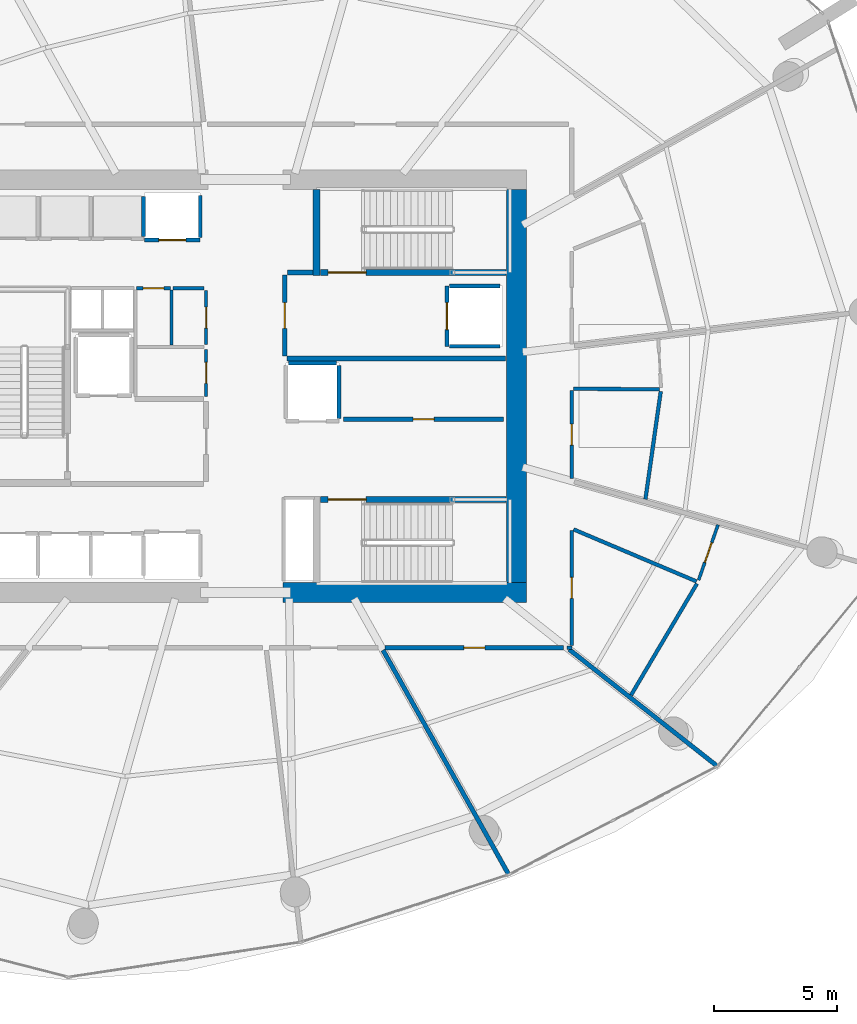
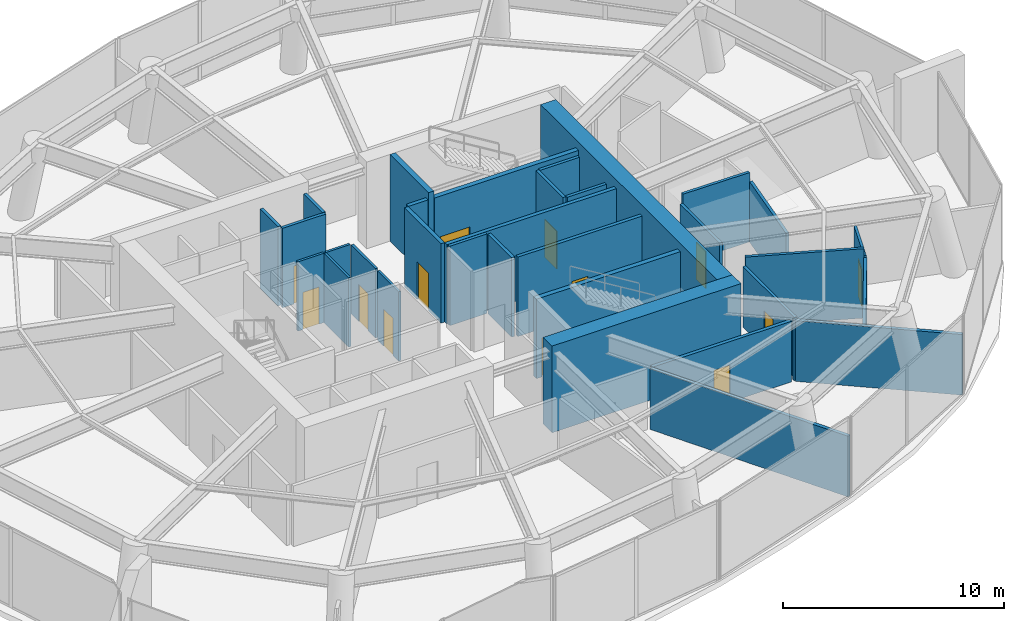
# One storey, part 12 of 16: 33 walls, 13 doors, 13 openings.
"""IFC4 building model written with IfcOpenShell, lengths in metres."""

from ifc_helpers import new_model, si_unit, direction, frame, frame_2d, origin, place, context, subcontext, project, spatial, rectangle, extrude, material, layer, layer_set, type_object, element, fill, save


model = new_model("IFC4")

# Units and contexts
model_context = context("Model", 3, precision=1e-05, world=origin(), true_north=direction((0.0, 1.0)))
body_context = subcontext(model_context, "Body", "Model", "MODEL_VIEW")
ifc_project = project(units=[si_unit("LENGTHUNIT", "METRE"), si_unit("AREAUNIT", "SQUARE_METRE"), si_unit("VOLUMEUNIT", "CUBIC_METRE"), si_unit("PLANEANGLEUNIT", "RADIAN"), si_unit("MASSUNIT", "GRAM", prefix="KILO")], contexts=[model_context])

# Site, building, storey
site_placement = place(None, origin())
site = spatial("IfcSite", under=ifc_project, at=site_placement, CompositionType="ELEMENT")
building_placement = place(site_placement, origin())
building = spatial("IfcBuilding", under=site, at=building_placement, Name="Kazma Halo Residences", CompositionType="ELEMENT")
storey_placement = place(building_placement, frame((0.0, 0.0, 123.0)))
storey = spatial("IfcBuildingStorey", under=building, at=storey_placement, Name="L30", CompositionType="ELEMENT", Elevation=123.0)

# Walls
ifc_material_1 = material(Name="Concrete C80/95", Category="concrete")
ifc_layer_1 = layer(ifc_material_1, 0.800048828125)
ifc_layer_set_1 = layer_set([ifc_layer_1], Name="Concrete C80/95")
wall_type_1 = type_object("IfcWallType", Name="WL-CORE-800", PredefinedType="SHEAR", material=ifc_layer_set_1)
wall_1_placement = place(storey_placement, frame((49.949951171875, 33.60009765625, 0.0), z_axis=(0.0, 0.0, 1.0), x_axis=(1.0, 0.0, 0.0)))
element("IfcWall", 1, at=wall_1_placement, inside=storey, type_object=wall_type_1, Name="L30 central core shear wall SE", PredefinedType="SHEAR", context=body_context, shape_type="SweptSolid", body=[
    extrude(rectangle(XDim=9.900146484375, YDim=0.800048828125, at=frame_2d((4.9501953125, 0.0))), origin(), (0.0, 0.0, 1.0), 4.800048828125),
])
wall_2_placement = place(storey_placement, frame((59.449951171875, 34.0, 0.0), z_axis=(0.0, 0.0, 1.0), x_axis=(0.0, 1.0, 0.0)))
element("IfcWall", 2, at=wall_2_placement, inside=storey, type_object=wall_type_1, Name="L30 central core shear wall E", PredefinedType="SHEAR", context=body_context, shape_type="SweptSolid", body=[
    extrude(rectangle(XDim=16.0, YDim=0.800048828125, at=frame_2d((8.0, 0.0))), origin(), (0.0, 0.0, 1.0), 4.800048828125),
])
ifc_material_2 = material(Name="Concrete C60/75", Category="concrete")
ifc_layer_2 = layer(ifc_material_2, 0.280029296875)
ifc_layer_set_2 = layer_set([ifc_layer_2], Name="Concrete C60/75")
wall_type_2 = type_object("IfcWallType", Name="WL-CORE-ST-280", PredefinedType="SHEAR", material=ifc_layer_set_2)
wall_3_placement = place(storey_placement, frame((51.31005859375, 46.5, 0.0), z_axis=(0.0, 0.0, 1.0), x_axis=(0.0, 1.0, 0.0)))
element("IfcWall", 3, at=wall_3_placement, inside=storey, type_object=wall_type_2, Name="L30 stairwell bearing wall ST02-W", PredefinedType="SHEAR", context=body_context, shape_type="SweptSolid", body=[
    extrude(rectangle(XDim=3.5, YDim=0.280029296875, at=frame_2d((1.75, 0.0))), origin(), (0.0, 0.0, 1.0), 4.800048828125),
])
ifc_material_3 = material(Name="Acoustic Twin-Stud Gypsum")
ifc_layer_3 = layer(ifc_material_3, 0.179931640625)
ifc_layer_set_3 = layer_set([ifc_layer_3], Name="Acoustic Twin-Stud Gypsum")
wall_type_3 = type_object("IfcWallType", Name="WL-DEM-180", PredefinedType="PARTITIONING", material=ifc_layer_set_3)
wall_4_placement = place(storey_placement, frame((54.01806640625, 31.25390625, 0.0), z_axis=(0.0, 0.0, 1.0), x_axis=(0.488626139104, -0.872493264263, 0.0)))
element("IfcWall", 4, at=wall_4_placement, inside=storey, type_object=wall_type_3, Name="L30 radial partition wall 12", PredefinedType="PARTITIONING", context=body_context, shape_type="SweptSolid", body=[
    extrude(rectangle(XDim=10.447509765625, YDim=0.179931640625, at=frame_2d((5.2236328125, 0.0))), origin(), (0.0, 0.0, 1.0), 3.35693359375),
])

# Wall, opening, door
wall_5_placement = place(storey_placement, frame((54.104248046875, 31.35009765625, 0.0), z_axis=(0.0, 0.0, 1.0), x_axis=(1.0, 0.0, 0.0)))
wall_5 = element("IfcWall", 5, at=wall_5_placement, inside=storey, type_object=wall_type_3, Name="L30 Sky Lobby Tableware Store corridor wall", PredefinedType="PARTITIONING", context=body_context, shape_type="SweptSolid", body=[
    extrude(rectangle(XDim=7.26513671875, YDim=0.179931640625, at=frame_2d((3.632568359375, 0.0))), origin(), (0.0, 0.0, 1.0), 3.35693359375),
])
opening_1_placement = place(wall_5_placement, frame((3.20751953125, 0.0, 0.0)))
opening_1 = element("IfcOpeningElement", 6, at=opening_1_placement, cuts=wall_5, Name="Opening DS-850", PredefinedType="OPENING", context=body_context, shape_type="SweptSolid", body=[
    extrude(rectangle(XDim=0.85009765625, YDim=2.06005859375, at=frame_2d((0.425048828125, 1.030029296875))), frame((0.0, 0.099853515625, 0.0), z_axis=(0.0, -1.0, 0.0), x_axis=(1.0, 0.0, 0.0)), (0.0, 0.0, 1.0), 0.199951171875),
])
ifc_material_4 = material(Name="Painted Steel Access Leaf", Category="steel")
door_type_1 = type_object("IfcDoorType", Name="DR-SVC-850", OperationType="NOTDEFINED", PredefinedType="DOOR", material=ifc_material_4)
door_1_placement = place(opening_1_placement, origin())
door_1 = element("IfcDoor", 7, at=door_1_placement, inside=storey, type_object=door_type_1, Name="L30 Sky Lobby Tableware Store entrance door", OperationType="SINGLE_SWING_LEFT", OverallHeight=2.06005859375, OverallWidth=0.85009765625, PredefinedType="DOOR", context=body_context, shape_type="SweptSolid", body=[
    extrude(rectangle(XDim=0.85009765625, YDim=2.06005859375, at=frame_2d((0.425048828125, 1.030029296875))), frame((0.0, 0.02490234375, 0.0), z_axis=(0.0, -1.0, 0.0), x_axis=(1.0, 0.0, 0.0)), (0.0, 0.0, 1.0), 0.050048828125),
])
fill(opening_1, door_1)

# Walls
wall_6_placement = place(storey_placement, frame((61.595947265625, 31.281982421875, 0.0), z_axis=(0.0, 0.0, 1.0), x_axis=(0.785313592694, -0.619098183755, 0.0)))
element("IfcWall", 8, at=wall_6_placement, inside=storey, type_object=wall_type_3, Name="L30 radial partition wall 13", PredefinedType="PARTITIONING", context=body_context, shape_type="SweptSolid", body=[
    extrude(rectangle(XDim=7.655517578125, YDim=0.179931640625, at=frame_2d((3.82763671875, 0.0))), origin(), (0.0, 0.0, 1.0), 3.35693359375),
])
ifc_material_5 = material(Name="Fire-Rated Blockwork Masonry", Category="masonry")
ifc_layer_4 = layer(ifc_material_5, 0.199951171875)
ifc_layer_set_4 = layer_set([ifc_layer_4], Name="Fire-Rated Blockwork Masonry")
wall_type_4 = type_object("IfcWallType", Name="WL-FLB-200", PredefinedType="PARTITIONING", material=ifc_layer_set_4)
wall_7_placement = place(storey_placement, frame((44.27490234375, 48.094970703125, 0.0), z_axis=(0.0, 0.0, 1.0), x_axis=(0.0, 1.0, 0.0)))
element("IfcWall", 9, at=wall_7_placement, inside=storey, type_object=wall_type_4, Name="L30 lift shaft PM-03 side wall E", PredefinedType="PARTITIONING", context=body_context, shape_type="SweptSolid", body=[
    extrude(rectangle(XDim=1.610107421875, YDim=0.159912109375, at=frame_2d((0.80517578125, 0.0))), origin(), (0.0, 0.0, 1.0), 4.39990234375),
])

# Wall, opening, door
wall_8_placement = place(storey_placement, frame((46.580078125, 47.945068359375, 0.0), z_axis=(0.0, 0.0, 1.0), x_axis=(-1.0, 0.0, 0.0)))
wall_8 = element("IfcWall", 10, at=wall_8_placement, inside=storey, type_object=wall_type_4, Name="L30 lift shaft PX-01 front wall", PredefinedType="PARTITIONING", context=body_context, shape_type="SweptSolid", body=[
    extrude(rectangle(XDim=2.260009765625, YDim=0.159912109375, at=frame_2d((1.1298828125, 0.0))), origin(), (0.0, 0.0, 1.0), 4.39990234375),
])
opening_2_placement = place(wall_8_placement, frame((0.580078125, 0.0, 0.0)))
opening_2 = element("IfcOpeningElement", 11, at=opening_2_placement, cuts=wall_8, Name="Opening LD-PX-01", PredefinedType="OPENING", context=body_context, shape_type="SweptSolid", body=[
    extrude(rectangle(XDim=1.10009765625, YDim=2.10009765625, at=frame_2d((0.550048828125, 1.050048828125))), frame((0.0, 0.08984375, 0.0), z_axis=(0.0, -1.0, 0.0), x_axis=(1.0, 0.0, 0.0)), (0.0, 0.0, 1.0), 0.179931640625),
])
ifc_material_6 = material(Name="Stainless Steel Fire-Rated", Category="steel")
door_type_2 = type_object("IfcDoorType", Name="DR-LIFT-SLD-1100", OperationType="DOUBLE_DOOR_SLIDING", PredefinedType="DOOR", material=ifc_material_6)
door_2_placement = place(opening_2_placement, origin())
door_2 = element("IfcDoor", 12, at=door_2_placement, inside=storey, type_object=door_type_2, Name="L30 lift PX-01 sliding landing door", OperationType="DOUBLE_DOOR_SLIDING", OverallHeight=2.10009765625, OverallWidth=1.10009765625, PredefinedType="DOOR", context=body_context, shape_type="SweptSolid", body=[
    extrude(rectangle(XDim=1.10009765625, YDim=2.10009765625, at=frame_2d((0.550048828125, 1.050048828125))), frame((0.0, 0.02490234375, 0.0), z_axis=(0.0, -1.0, 0.0), x_axis=(1.0, 0.0, 0.0)), (0.0, 0.0, 1.0), 0.050048828125),
])
fill(opening_2, door_2)

# Wall
wall_9_placement = place(storey_placement, frame((46.580078125, 48.044921875, 0.0), z_axis=(0.0, 0.0, 1.0), x_axis=(0.0, 1.0, 0.0)))
element("IfcWall", 13, at=wall_9_placement, inside=storey, type_object=wall_type_4, Name="L30 lift shaft PX-01 side wall E", PredefinedType="PARTITIONING", context=body_context, shape_type="SweptSolid", body=[
    extrude(rectangle(XDim=1.7099609375, YDim=0.159912109375, at=frame_2d((0.85498046875, 0.0))), origin(), (0.0, 0.0, 1.0), 4.39990234375),
])

# Wall, opening, door
wall_10_placement = place(storey_placement, frame((56.6201171875, 46.080078125, 0.0), z_axis=(0.0, 0.0, 1.0), x_axis=(0.0, -1.0, 0.0)))
wall_10 = element("IfcWall", 14, at=wall_10_placement, inside=storey, type_object=wall_type_4, Name="L30 lift shaft FL-02 front wall", PredefinedType="PARTITIONING", context=body_context, shape_type="SweptSolid", body=[
    extrude(rectangle(XDim=2.4599609375, YDim=0.159912109375, at=frame_2d((1.22998046875, 0.0))), origin(), (0.0, 0.0, 1.0), 4.39990234375),
])
opening_3_placement = place(wall_10_placement, frame((0.679931640625, 0.0, 0.0)))
opening_3 = element("IfcOpeningElement", 15, at=opening_3_placement, cuts=wall_10, Name="Opening LD-FL-02", PredefinedType="OPENING", context=body_context, shape_type="SweptSolid", body=[
    extrude(rectangle(XDim=1.10009765625, YDim=2.10009765625, at=frame_2d((0.550048828125, 1.050048828125))), frame((0.0, 0.08984375, 0.0), z_axis=(0.0, -1.0, 0.0), x_axis=(1.0, 0.0, 0.0)), (0.0, 0.0, 1.0), 0.179931640625),
])
door_3_placement = place(opening_3_placement, origin())
door_3 = element("IfcDoor", 16, at=door_3_placement, inside=storey, type_object=door_type_2, Name="L30 lift FL-02 sliding landing door", OperationType="DOUBLE_DOOR_SLIDING", OverallHeight=2.10009765625, OverallWidth=1.10009765625, PredefinedType="DOOR", context=body_context, shape_type="SweptSolid", body=[
    extrude(rectangle(XDim=1.10009765625, YDim=2.10009765625, at=frame_2d((0.550048828125, 1.050048828125))), frame((0.0, 0.02490234375, 0.0), z_axis=(0.0, -1.0, 0.0), x_axis=(1.0, 0.0, 0.0)), (0.0, 0.0, 1.0), 0.050048828125),
])
fill(opening_3, door_3)

# Walls
for number, where, z_axis, x_axis, name in (
    (17, (56.719970703125, 46.080078125, 0.0), (0.0, 0.0, 1.0), (1.0, 0.0, 0.0), "L30 lift shaft FL-02 side wall N"),
    (18, (56.719970703125, 43.6201171875, 0.0), (0.0, 0.0, 1.0), (1.0, 0.0, 0.0), "L30 lift shaft FL-02 side wall S"),
):
    element("IfcWall", number, at=place(storey_placement, frame(where, z_axis=z_axis, x_axis=x_axis)), inside=storey, type_object=wall_type_4, Name=name, PredefinedType="PARTITIONING", context=body_context, shape_type="SweptSolid", body=[
        extrude(rectangle(XDim=2.06005859375, YDim=0.159912109375, at=frame_2d((1.030029296875, 0.0))), origin(), (0.0, 0.0, 1.0), 4.39990234375),
    ])
wall_11_placement = place(storey_placement, frame((52.22998046875, 40.669921875, 0.0), z_axis=(0.0, 0.0, 1.0), x_axis=(0.0, 1.0, 0.0)))
element("IfcWall", 19, at=wall_11_placement, inside=storey, type_object=wall_type_4, Name="L30 lift shaft SV-01 side wall E", PredefinedType="PARTITIONING", context=body_context, shape_type="SweptSolid", body=[
    extrude(rectangle(XDim=2.16015625, YDim=0.159912109375, at=frame_2d((1.080078125, 0.0))), origin(), (0.0, 0.0, 1.0), 4.39990234375),
])
wall_12_placement = place(storey_placement, frame((50.169921875, 42.929931640625, 0.0), z_axis=(0.0, 0.0, 1.0), x_axis=(1.0, 0.0, 0.0)))
element("IfcWall", 20, at=wall_12_placement, inside=storey, type_object=wall_type_4, Name="L30 lift shaft SV-01 side wall N", PredefinedType="PARTITIONING", context=body_context, shape_type="SweptSolid", body=[
    extrude(rectangle(XDim=1.9599609375, YDim=0.159912109375, at=frame_2d((0.97998046875, 0.0))), origin(), (0.0, 0.0, 1.0), 4.39990234375),
])

# Wall, opening, door
wall_13_placement = place(storey_placement, frame((52.419921875, 40.64990234375, 0.0), z_axis=(0.0, 0.0, 1.0), x_axis=(1.0, 0.0, 0.0)))
wall_13 = element("IfcWall", 21, at=wall_13_placement, inside=storey, type_object=wall_type_4, Name="L30 core east reserve wall", PredefinedType="PARTITIONING", context=body_context, shape_type="SweptSolid", body=[
    extrude(rectangle(XDim=6.5, YDim=0.179931640625, at=frame_2d((3.25, 0.0))), origin(), (0.0, 0.0, 1.0), 4.39990234375),
])
opening_4_placement = place(wall_13_placement, frame((2.824951171875, 0.0, 0.0)))
opening_4 = element("IfcOpeningElement", 22, at=opening_4_placement, cuts=wall_13, Name="Opening DS-850", PredefinedType="OPENING", context=body_context, shape_type="SweptSolid", body=[
    extrude(rectangle(XDim=0.85009765625, YDim=2.06005859375, at=frame_2d((0.425048828125, 1.030029296875))), frame((0.0, 0.099853515625, 0.0), z_axis=(0.0, -1.0, 0.0), x_axis=(1.0, 0.0, 0.0)), (0.0, 0.0, 1.0), 0.199951171875),
])
door_4_placement = place(opening_4_placement, origin())
door_4 = element("IfcDoor", 23, at=door_4_placement, inside=storey, type_object=door_type_1, Name="L30 core east reserve door", OperationType="SINGLE_SWING_LEFT", OverallHeight=2.06005859375, OverallWidth=0.85009765625, PredefinedType="DOOR", context=body_context, shape_type="SweptSolid", body=[
    extrude(rectangle(XDim=0.85009765625, YDim=2.06005859375, at=frame_2d((0.425048828125, 1.030029296875))), frame((0.0, 0.02490234375, 0.0), z_axis=(0.0, -1.0, 0.0), x_axis=(1.0, 0.0, 0.0)), (0.0, 0.0, 1.0), 0.050048828125),
])
fill(opening_4, door_4)

# Walls
wall_14_placement = place(storey_placement, frame((50.1201171875, 43.1201171875, 0.0), z_axis=(0.0, 0.0, 1.0), x_axis=(1.0, 0.0, 0.0)))
element("IfcWall", 24, at=wall_14_placement, inside=storey, type_object=wall_type_4, Name="L30 east firefighting lobby south smoke wall", PredefinedType="PARTITIONING", context=body_context, shape_type="SweptSolid", body=[
    extrude(rectangle(XDim=8.8798828125, YDim=0.199951171875, at=frame_2d((4.43994140625, 0.0))), origin(), (0.0, 0.0, 1.0), 4.39990234375),
])
wall_15_placement = place(storey_placement, frame((50.139892578125, 46.6201171875, 0.0), z_axis=(0.0, 0.0, 1.0), x_axis=(1.0, 0.0, 0.0)))
element("IfcWall", 25, at=wall_15_placement, inside=storey, type_object=wall_type_4, Name="L30 east firefighting lobby north closure wall", PredefinedType="PARTITIONING", context=body_context, shape_type="SweptSolid", body=[
    extrude(rectangle(XDim=1.02001953125, YDim=0.199951171875, at=frame_2d((0.510009765625, 0.0))), origin(), (0.0, 0.0, 1.0), 4.39990234375),
])

# Wall, opening, door
wall_16_placement = place(storey_placement, frame((50.02001953125, 43.219970703125, 0.0), z_axis=(0.0, 0.0, 1.0), x_axis=(0.0, 1.0, 0.0)))
wall_16 = element("IfcWall", 26, at=wall_16_placement, inside=storey, type_object=wall_type_4, Name="L30 east firefighting lobby smoke wall", PredefinedType="PARTITIONING", context=body_context, shape_type="SweptSolid", body=[
    extrude(rectangle(XDim=3.300048828125, YDim=0.199951171875, at=frame_2d((1.64990234375, 0.0))), origin(), (0.0, 0.0, 1.0), 4.39990234375),
])
opening_5_placement = place(wall_16_placement, frame((1.125, 0.0, 0.0)))
opening_5 = element("IfcOpeningElement", 27, at=opening_5_placement, cuts=wall_16, Name="Opening D-FLE", PredefinedType="OPENING", context=body_context, shape_type="SweptSolid", body=[
    extrude(rectangle(XDim=1.050048828125, YDim=2.10009765625, at=frame_2d((0.52490234375, 1.050048828125))), frame((0.0, 0.10986328125, 0.0), z_axis=(0.0, -1.0, 0.0), x_axis=(1.0, 0.0, 0.0)), (0.0, 0.0, 1.0), 0.219970703125),
])
ifc_material_7 = material(Name="Fire-Rated Steel Leaf", Category="steel")
door_type_3 = type_object("IfcDoorType", Name="DR-FD90-1050", OperationType="NOTDEFINED", PredefinedType="DOOR", material=ifc_material_7)
door_5_placement = place(opening_5_placement, origin())
door_5 = element("IfcDoor", 28, at=door_5_placement, inside=storey, type_object=door_type_3, Name="L30 east firefighting lobby smoke door", OperationType="SINGLE_SWING_RIGHT", OverallHeight=2.10009765625, OverallWidth=1.050048828125, PredefinedType="DOOR", context=body_context, shape_type="SweptSolid", body=[
    extrude(rectangle(XDim=1.050048828125, YDim=2.10009765625, at=frame_2d((0.52490234375, 1.050048828125))), frame((0.0, 0.02490234375, 0.0), z_axis=(0.0, -1.0, 0.0), x_axis=(1.0, 0.0, 0.0)), (0.0, 0.0, 1.0), 0.050048828125),
])
fill(opening_5, door_5)

# Wall
ifc_material_8 = material(Name="Gypsum Plasterboard Partition")
ifc_layer_5 = layer(ifc_material_8, 0.125)
ifc_layer_set_5 = layer_set([ifc_layer_5], Name="Gypsum Plasterboard Partition")
wall_type_5 = type_object("IfcWallType", Name="WL-PART-125", PredefinedType="PARTITIONING", material=ifc_layer_set_5)
wall_17_placement = place(storey_placement, frame((45.409912109375, 43.669921875, 0.0), z_axis=(0.0, 0.0, 1.0), x_axis=(0.0, 1.0, 0.0)))
element("IfcWall", 29, at=wall_17_placement, inside=storey, type_object=wall_type_5, Name="L30 core service vert divider", PredefinedType="PARTITIONING", context=body_context, shape_type="SweptSolid", body=[
    extrude(rectangle(XDim=2.22998046875, YDim=0.125, at=frame_2d((1.114990234375, 0.0))), origin(), (0.0, 0.0, 1.0), 3.840087890625),
])

# Wall, opening, door
wall_18_placement = place(storey_placement, frame((46.820068359375, 41.580078125, 0.0), z_axis=(0.0, 0.0, 1.0), x_axis=(0.0, 1.0, 0.0)))
wall_18 = element("IfcWall", 30, at=wall_18_placement, inside=storey, type_object=wall_type_5, Name="L30 refuse room east wall", PredefinedType="PARTITIONING", context=body_context, shape_type="SweptSolid", body=[
    extrude(rectangle(XDim=1.909912109375, YDim=0.125, at=frame_2d((0.955078125, 0.0))), origin(), (0.0, 0.0, 1.0), 3.840087890625),
])
opening_6_placement = place(wall_18_placement, frame((0.530029296875, 0.0, 0.0)))
opening_6 = element("IfcOpeningElement", 31, at=opening_6_placement, cuts=wall_18, Name="Opening DS-850", PredefinedType="OPENING", context=body_context, shape_type="SweptSolid", body=[
    extrude(rectangle(XDim=0.85009765625, YDim=2.06005859375, at=frame_2d((0.425048828125, 1.030029296875))), frame((0.0, 0.072509765625, 0.0), z_axis=(0.0, -1.0, 0.0), x_axis=(1.0, 0.0, 0.0)), (0.0, 0.0, 1.0), 0.14501953125),
])
door_6_placement = place(opening_6_placement, origin())
door_6 = element("IfcDoor", 32, at=door_6_placement, inside=storey, type_object=door_type_1, Name="L30 refuse room door", OperationType="SINGLE_SWING_LEFT", OverallHeight=2.06005859375, OverallWidth=0.85009765625, PredefinedType="DOOR", context=body_context, shape_type="SweptSolid", body=[
    extrude(rectangle(XDim=0.85009765625, YDim=2.06005859375, at=frame_2d((0.425048828125, 1.030029296875))), frame((0.0, 0.02490234375, 0.0), z_axis=(0.0, -1.0, 0.0), x_axis=(1.0, 0.0, 0.0)), (0.0, 0.0, 1.0), 0.050048828125),
])
fill(opening_6, door_6)

wall_19_placement = place(storey_placement, frame((46.820068359375, 43.68994140625, 0.0), z_axis=(0.0, 0.0, 1.0), x_axis=(0.0, 1.0, 0.0)))
wall_19 = element("IfcWall", 33, at=wall_19_placement, inside=storey, type_object=wall_type_5, Name="L30 sub-metering east wall", PredefinedType="PARTITIONING", context=body_context, shape_type="SweptSolid", body=[
    extrude(rectangle(XDim=2.18994140625, YDim=0.125, at=frame_2d((1.094970703125, 0.0))), origin(), (0.0, 0.0, 1.0), 3.840087890625),
])
opening_7_placement = place(wall_19_placement, frame((0.669921875, 0.0, 0.0)))
opening_7 = element("IfcOpeningElement", 34, at=opening_7_placement, cuts=wall_19, Name="Opening DS-850", PredefinedType="OPENING", context=body_context, shape_type="SweptSolid", body=[
    extrude(rectangle(XDim=0.85009765625, YDim=2.06005859375, at=frame_2d((0.425048828125, 1.030029296875))), frame((0.0, 0.072509765625, 0.0), z_axis=(0.0, -1.0, 0.0), x_axis=(1.0, 0.0, 0.0)), (0.0, 0.0, 1.0), 0.14501953125),
])
door_7_placement = place(opening_7_placement, origin())
door_7 = element("IfcDoor", 35, at=door_7_placement, inside=storey, type_object=door_type_1, Name="L30 sub-metering door", OperationType="SINGLE_SWING_RIGHT", OverallHeight=2.06005859375, OverallWidth=0.85009765625, PredefinedType="DOOR", context=body_context, shape_type="SweptSolid", body=[
    extrude(rectangle(XDim=0.85009765625, YDim=2.06005859375, at=frame_2d((0.425048828125, 1.030029296875))), frame((0.0, 0.02490234375, 0.0), z_axis=(0.0, -1.0, 0.0), x_axis=(1.0, 0.0, 0.0)), (0.0, 0.0, 1.0), 0.050048828125),
])
fill(opening_7, door_7)

wall_20_placement = place(storey_placement, frame((43.989990234375, 45.97998046875, 0.0), z_axis=(0.0, 0.0, 1.0), x_axis=(1.0, 0.0, 0.0)))
wall_20 = element("IfcWall", 36, at=wall_20_placement, inside=storey, type_object=wall_type_5, Name="L30 cleaners cupboard north wall", PredefinedType="PARTITIONING", context=body_context, shape_type="SweptSolid", body=[
    extrude(rectangle(XDim=1.380126953125, YDim=0.125, at=frame_2d((0.68994140625, 0.0))), origin(), (0.0, 0.0, 1.0), 3.840087890625),
])
opening_8_placement = place(wall_20_placement, frame((0.264892578125, 0.0, 0.0)))
opening_8 = element("IfcOpeningElement", 37, at=opening_8_placement, cuts=wall_20, Name="Opening DS-850", PredefinedType="OPENING", context=body_context, shape_type="SweptSolid", body=[
    extrude(rectangle(XDim=0.85009765625, YDim=2.06005859375, at=frame_2d((0.425048828125, 1.030029296875))), frame((0.0, 0.072509765625, 0.0), z_axis=(0.0, -1.0, 0.0), x_axis=(1.0, 0.0, 0.0)), (0.0, 0.0, 1.0), 0.14501953125),
])
door_8_placement = place(opening_8_placement, origin())
door_8 = element("IfcDoor", 38, at=door_8_placement, inside=storey, type_object=door_type_1, Name="L30 cleaners cupboard door", OperationType="SINGLE_SWING_LEFT", OverallHeight=2.06005859375, OverallWidth=0.85009765625, PredefinedType="DOOR", context=body_context, shape_type="SweptSolid", body=[
    extrude(rectangle(XDim=0.85009765625, YDim=2.06005859375, at=frame_2d((0.425048828125, 1.030029296875))), frame((0.0, 0.02490234375, 0.0), z_axis=(0.0, -1.0, 0.0), x_axis=(1.0, 0.0, 0.0)), (0.0, 0.0, 1.0), 0.050048828125),
])
fill(opening_8, door_8)

# Wall
wall_21_placement = place(storey_placement, frame((45.47998046875, 45.97998046875, 0.0), z_axis=(0.0, 0.0, 1.0), x_axis=(1.0, 0.0, 0.0)))
element("IfcWall", 39, at=wall_21_placement, inside=storey, type_object=wall_type_5, Name="L30 sub-metering north wall", PredefinedType="PARTITIONING", context=body_context, shape_type="SweptSolid", body=[
    extrude(rectangle(XDim=1.260009765625, YDim=0.125, at=frame_2d((0.6298828125, 0.0))), origin(), (0.0, 0.0, 1.0), 3.840087890625),
])

# Wall, opening, door
wall_22_placement = place(storey_placement, frame((66.860595703125, 34.100341796875, 0.0), z_axis=(0.0, 0.0, 1.0), x_axis=(0.331397464859, 0.943491240174, 0.0)))
wall_22 = element("IfcWall", 40, at=wall_22_placement, inside=storey, type_object=wall_type_5, Name="L30 supply store wall", PredefinedType="PARTITIONING", context=body_context, shape_type="SweptSolid", body=[
    extrude(rectangle(XDim=2.388427734375, YDim=0.125, at=frame_2d((1.1943359375, 0.0))), origin(), (0.0, 0.0, 1.0), 3.35693359375),
])
opening_9_placement = place(wall_22_placement, frame((0.769287109375, 0.0, 0.0)))
opening_9 = element("IfcOpeningElement", 41, at=opening_9_placement, cuts=wall_22, Name="Opening DS-850", PredefinedType="OPENING", context=body_context, shape_type="SweptSolid", body=[
    extrude(rectangle(XDim=0.85009765625, YDim=2.06005859375, at=frame_2d((0.425048828125, 1.030029296875))), frame((0.0, 0.072509765625, 0.0), z_axis=(0.0, -1.0, 0.0), x_axis=(1.0, 0.0, 0.0)), (0.0, 0.0, 1.0), 0.14501953125),
])
door_9_placement = place(opening_9_placement, origin())
door_9 = element("IfcDoor", 42, at=door_9_placement, inside=storey, type_object=door_type_1, Name="L30 supply store door", OperationType="SINGLE_SWING_LEFT", OverallHeight=2.06005859375, OverallWidth=0.85009765625, PredefinedType="DOOR", context=body_context, shape_type="SweptSolid", body=[
    extrude(rectangle(XDim=0.85009765625, YDim=2.06005859375, at=frame_2d((0.425048828125, 1.030029296875))), frame((0.0, 0.02490234375, 0.0), z_axis=(0.0, -1.0, 0.0), x_axis=(1.0, 0.0, 0.0)), (0.0, 0.0, 1.0), 0.050048828125),
])
fill(opening_9, door_9)

ifc_material_9 = material(Name="Concrete C50/60", Category="concrete")
ifc_layer_6 = layer(ifc_material_9, 0.25)
ifc_layer_set_6 = layer_set([ifc_layer_6], Name="Concrete C50/60")
wall_type_6 = type_object("IfcWallType", Name="WL-SHF-250", PredefinedType="SOLIDWALL", material=ifc_layer_set_6)
wall_23_placement = place(storey_placement, frame((51.47998046875, 46.6201171875, 0.0), z_axis=(0.0, 0.0, 1.0), x_axis=(1.0, 0.0, 0.0)))
wall_23 = element("IfcWall", 43, at=wall_23_placement, inside=storey, type_object=wall_type_6, Name="L30 exit stair ST-02 enclosure wall", PredefinedType="SOLIDWALL", context=body_context, shape_type="SweptSolid", body=[
    extrude(rectangle(XDim=7.5400390625, YDim=0.25, at=frame_2d((3.77001953125, 0.0))), origin(), (0.0, 0.0, 1.0), 4.39990234375),
])
opening_10_placement = place(wall_23_placement, frame((0.300048828125, 0.0, 0.0)))
opening_10 = element("IfcOpeningElement", 44, at=opening_10_placement, cuts=wall_23, Name="Opening D-ST2", PredefinedType="OPENING", context=body_context, shape_type="SweptSolid", body=[
    extrude(rectangle(XDim=1.550048828125, YDim=2.14990234375, at=frame_2d((0.77490234375, 1.074951171875))), frame((0.0, 0.135009765625, 0.0), z_axis=(0.0, -1.0, 0.0), x_axis=(1.0, 0.0, 0.0)), (0.0, 0.0, 1.0), 0.27001953125),
])
ifc_material_10 = material(Name="Fire-Rated Double Steel Leaf", Category="steel")
door_type_4 = type_object("IfcDoorType", Name="DR-FD90-1550", OperationType="NOTDEFINED", PredefinedType="DOOR", material=ifc_material_10)
door_10_placement = place(opening_10_placement, origin())
door_10 = element("IfcDoor", 45, at=door_10_placement, inside=storey, type_object=door_type_4, Name="L30 exit stair ST-02 fire door", OperationType="DOUBLE_DOOR_SINGLE_SWING", OverallHeight=2.14990234375, OverallWidth=1.550048828125, PredefinedType="DOOR", context=body_context, shape_type="SweptSolid", body=[
    extrude(rectangle(XDim=1.550048828125, YDim=2.14990234375, at=frame_2d((0.77490234375, 1.074951171875))), frame((0.0, 0.02490234375, 0.0), z_axis=(0.0, -1.0, 0.0), x_axis=(1.0, 0.0, 0.0)), (0.0, 0.0, 1.0), 0.050048828125),
])
fill(opening_10, door_10)

wall_24_placement = place(storey_placement, frame((51.47998046875, 37.3798828125, 0.0), z_axis=(0.0, 0.0, 1.0), x_axis=(1.0, 0.0, 0.0)))
wall_24 = element("IfcWall", 46, at=wall_24_placement, inside=storey, type_object=wall_type_6, Name="L30 exit stair ST-03 enclosure wall", PredefinedType="SOLIDWALL", context=body_context, shape_type="SweptSolid", body=[
    extrude(rectangle(XDim=7.5400390625, YDim=0.25, at=frame_2d((3.77001953125, 0.0))), origin(), (0.0, 0.0, 1.0), 4.39990234375),
])
opening_11_placement = place(wall_24_placement, frame((0.300048828125, 0.0, 0.0)))
opening_11 = element("IfcOpeningElement", 47, at=opening_11_placement, cuts=wall_24, Name="Opening D-ST3", PredefinedType="OPENING", context=body_context, shape_type="SweptSolid", body=[
    extrude(rectangle(XDim=1.550048828125, YDim=2.14990234375, at=frame_2d((0.77490234375, 1.074951171875))), frame((0.0, 0.135009765625, 0.0), z_axis=(0.0, -1.0, 0.0), x_axis=(1.0, 0.0, 0.0)), (0.0, 0.0, 1.0), 0.27001953125),
])
door_11_placement = place(opening_11_placement, origin())
door_11 = element("IfcDoor", 48, at=door_11_placement, inside=storey, type_object=door_type_4, Name="L30 exit stair ST-03 fire door", OperationType="DOUBLE_DOOR_SINGLE_SWING", OverallHeight=2.14990234375, OverallWidth=1.550048828125, PredefinedType="DOOR", context=body_context, shape_type="SweptSolid", body=[
    extrude(rectangle(XDim=1.550048828125, YDim=2.14990234375, at=frame_2d((0.77490234375, 1.074951171875))), frame((0.0, 0.02490234375, 0.0), z_axis=(0.0, -1.0, 0.0), x_axis=(1.0, 0.0, 0.0)), (0.0, 0.0, 1.0), 0.050048828125),
])
fill(opening_11, door_11)

# Wall
ifc_material_11 = material(Name="Moisture-Resistant Gypsum")
ifc_layer_7 = layer(ifc_material_11, 0.14990234375)
ifc_layer_set_7 = layer_set([ifc_layer_7], Name="Moisture-Resistant Gypsum")
wall_type_7 = type_object("IfcWallType", Name="WL-WET-150", PredefinedType="PARTITIONING", material=ifc_layer_set_7)
wall_25_placement = place(storey_placement, frame((61.509521484375, 31.35009765625, 0.0), z_axis=(0.0, 0.0, 1.0), x_axis=(1.0, 0.0, 0.0)))
element("IfcWall", 49, at=wall_25_placement, inside=storey, type_object=wall_type_7, Name="L30 Sky Lobby Male WC corridor wall", PredefinedType="PARTITIONING", context=body_context, shape_type="SweptSolid", body=[
    extrude(rectangle(XDim=0.1904296875, YDim=0.14990234375, at=frame_2d((0.09521484375, 0.0))), origin(), (0.0, 0.0, 1.0), 3.35693359375),
])

# Wall, opening, door
wall_26_placement = place(storey_placement, frame((61.699951171875, 31.449951171875, 0.0), z_axis=(0.0, 0.0, 1.0), x_axis=(0.0, 1.0, 0.0)))
wall_26 = element("IfcWall", 50, at=wall_26_placement, inside=storey, type_object=wall_type_7, Name="L30 Sky Lobby Male WC corridor wall", PredefinedType="PARTITIONING", context=body_context, shape_type="SweptSolid", body=[
    extrude(rectangle(XDim=4.6689453125, YDim=0.14990234375, at=frame_2d((2.33447265625, 0.0))), origin(), (0.0, 0.0, 1.0), 3.35693359375),
])
opening_12_placement = place(wall_26_placement, frame((1.909423828125, 0.0, 0.0)))
opening_12 = element("IfcOpeningElement", 51, at=opening_12_placement, cuts=wall_26, Name="Opening DB-900", PredefinedType="OPENING", context=body_context, shape_type="SweptSolid", body=[
    extrude(rectangle(XDim=0.85009765625, YDim=2.06005859375, at=frame_2d((0.425048828125, 1.030029296875))), frame((0.0, 0.0849609375, 0.0), z_axis=(0.0, -1.0, 0.0), x_axis=(1.0, 0.0, 0.0)), (0.0, 0.0, 1.0), 0.169921875),
])
ifc_material_12 = material(Name="Moisture-Sealed Timber Leaf", Category="wood")
door_type_5 = type_object("IfcDoorType", Name="DR-BTH-900", OperationType="NOTDEFINED", PredefinedType="DOOR", material=ifc_material_12)
door_12_placement = place(opening_12_placement, origin())
door_12 = element("IfcDoor", 52, at=door_12_placement, inside=storey, type_object=door_type_5, Name="L30 Sky Lobby Male WC door", OperationType="SINGLE_SWING_RIGHT", OverallHeight=2.06005859375, OverallWidth=0.85009765625, PredefinedType="DOOR", context=body_context, shape_type="SweptSolid", body=[
    extrude(rectangle(XDim=0.85009765625, YDim=2.06005859375, at=frame_2d((0.425048828125, 1.030029296875))), frame((0.0, 0.02490234375, 0.0), z_axis=(0.0, -1.0, 0.0), x_axis=(1.0, 0.0, 0.0)), (0.0, 0.0, 1.0), 0.050048828125),
])
fill(opening_12, door_12)

# Walls
wall_27_placement = place(storey_placement, frame((61.773681640625, 36.16748046875, 0.0), z_axis=(0.0, 0.0, 1.0), x_axis=(0.92084631933, -0.389925705971, 0.0)))
element("IfcWall", 53, at=wall_27_placement, inside=storey, type_object=wall_type_7, Name="L30 Sky Lobby Male WC side wall", PredefinedType="PARTITIONING", context=body_context, shape_type="SweptSolid", body=[
    extrude(rectangle(XDim=5.435302734375, YDim=0.14990234375, at=frame_2d((2.7177734375, 0.0))), origin(), (0.0, 0.0, 1.0), 3.840087890625),
])
wall_28_placement = place(storey_placement, frame((64.113037109375, 29.423828125, 0.0), z_axis=(0.0, 0.0, 1.0), x_axis=(0.509071384911, 0.860724302587, 0.0)))
element("IfcWall", 54, at=wall_28_placement, inside=storey, type_object=wall_type_7, Name="L30 Sky Lobby Male WC back wall", PredefinedType="PARTITIONING", context=body_context, shape_type="SweptSolid", body=[
    extrude(rectangle(XDim=5.265380859375, YDim=0.14990234375, at=frame_2d((2.6328125, 0.0))), origin(), (0.0, 0.0, 1.0), 3.35693359375),
])

# Wall, opening, door
wall_29_placement = place(storey_placement, frame((61.699951171875, 38.236083984375, 0.0), z_axis=(0.0, 0.0, 1.0), x_axis=(0.0, 1.0, 0.0)))
wall_29 = element("IfcWall", 55, at=wall_29_placement, inside=storey, type_object=wall_type_7, Name="L30 Sky Lobby Female WC corridor wall", PredefinedType="PARTITIONING", context=body_context, shape_type="SweptSolid", body=[
    extrude(rectangle(XDim=3.576416015625, YDim=0.14990234375, at=frame_2d((1.7880859375, 0.0))), origin(), (0.0, 0.0, 1.0), 3.35693359375),
])
opening_13_placement = place(wall_29_placement, frame((1.363037109375, 0.0, 0.0)))
opening_13 = element("IfcOpeningElement", 56, at=opening_13_placement, cuts=wall_29, Name="Opening DB-900", PredefinedType="OPENING", context=body_context, shape_type="SweptSolid", body=[
    extrude(rectangle(XDim=0.85009765625, YDim=2.06005859375, at=frame_2d((0.425048828125, 1.030029296875))), frame((0.0, 0.0849609375, 0.0), z_axis=(0.0, -1.0, 0.0), x_axis=(1.0, 0.0, 0.0)), (0.0, 0.0, 1.0), 0.169921875),
])
door_13_placement = place(opening_13_placement, origin())
door_13 = element("IfcDoor", 57, at=door_13_placement, inside=storey, type_object=door_type_5, Name="L30 Sky Lobby Female WC door", OperationType="SINGLE_SWING_LEFT", OverallHeight=2.06005859375, OverallWidth=0.85009765625, PredefinedType="DOOR", context=body_context, shape_type="SweptSolid", body=[
    extrude(rectangle(XDim=0.85009765625, YDim=2.06005859375, at=frame_2d((0.425048828125, 1.030029296875))), frame((0.0, 0.02490234375, 0.0), z_axis=(0.0, -1.0, 0.0), x_axis=(1.0, 0.0, 0.0)), (0.0, 0.0, 1.0), 0.050048828125),
])
fill(opening_13, door_13)

# Walls
wall_30_placement = place(storey_placement, frame((61.780029296875, 41.891845703125, 0.0), z_axis=(0.0, 0.0, 1.0), x_axis=(0.999969368552, -0.007827001836, 0.0)))
element("IfcWall", 58, at=wall_30_placement, inside=storey, type_object=wall_type_7, Name="L30 Sky Lobby Female WC side wall", PredefinedType="PARTITIONING", context=body_context, shape_type="SweptSolid", body=[
    extrude(rectangle(XDim=3.493408203125, YDim=0.14990234375, at=frame_2d((1.74658203125, 0.0))), origin(), (0.0, 0.0, 1.0), 3.840087890625),
])
wall_31_placement = place(storey_placement, frame((64.697265625, 37.393798828125, 0.0), z_axis=(0.0, 0.0, 1.0), x_axis=(0.140920410112, 0.990020928069, 0.0)))
element("IfcWall", 59, at=wall_31_placement, inside=storey, type_object=wall_type_7, Name="L30 Sky Lobby Female WC back wall", PredefinedType="PARTITIONING", context=body_context, shape_type="SweptSolid", body=[
    extrude(rectangle(XDim=4.43505859375, YDim=0.14990234375, at=frame_2d((2.217529296875, 0.0))), origin(), (0.0, 0.0, 1.0), 3.35693359375),
])

save(model, "model.ifc")
